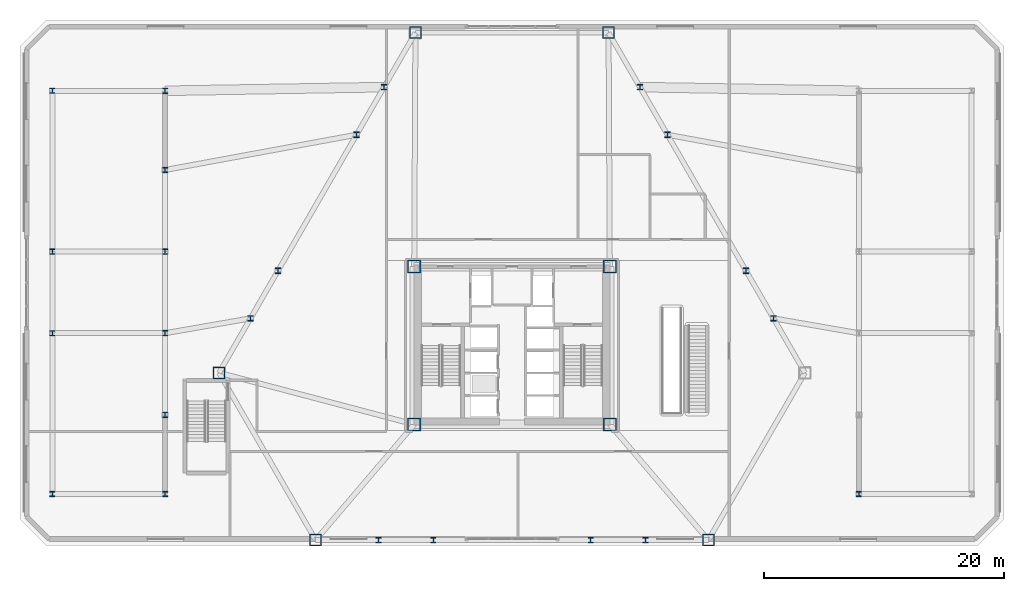
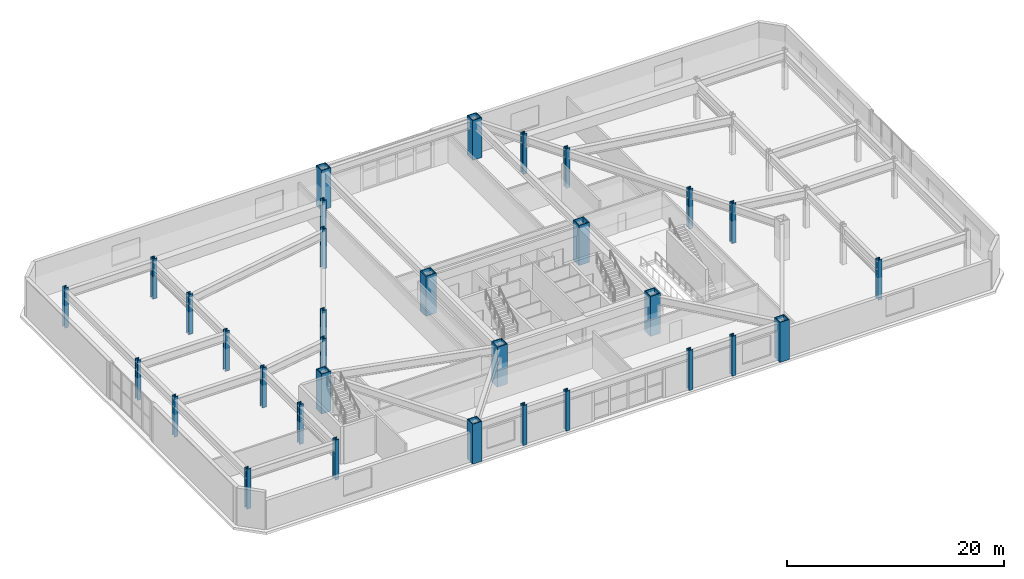
# One storey, part 1 of 21: 32 columns.
"""IFC4 building model written with IfcOpenShell, lengths in metres."""

from ifc_helpers import new_model, si_unit, direction, frame, origin, origin_2d, place, context, subcontext, project, spatial, hollow_rectangle, i_section, extrude, material, material_profile, profile_set, type_object, element, save


model = new_model("IFC4")

# Units and contexts
model_context = context("Model", 3, precision=1e-05, world=origin(), true_north=direction((0.0, 1.0)))
body_context = subcontext(model_context, "Body", "Model", "MODEL_VIEW")
ifc_project = project(units=[si_unit("LENGTHUNIT", "METRE"), si_unit("AREAUNIT", "SQUARE_METRE"), si_unit("VOLUMEUNIT", "CUBIC_METRE"), si_unit("PLANEANGLEUNIT", "RADIAN"), si_unit("MASSUNIT", "GRAM", prefix="KILO")], contexts=[model_context])

# Site, building, storey
site_placement = place(None, origin())
site = spatial("IfcSite", under=ifc_project, at=site_placement, CompositionType="ELEMENT")
building_placement = place(site_placement, origin())
building = spatial("IfcBuilding", under=site, at=building_placement, Name="Oramaril Tower", CompositionType="ELEMENT")
storey_placement = place(building_placement, frame((0.0, 0.0, 5.39990234375)))
storey = spatial("IfcBuildingStorey", under=building, at=storey_placement, Name="L01", CompositionType="ELEMENT", Elevation=5.39990234375)

# Columns
ifc_material_1 = material(Name="Steel ASTM A572 Gr 50", Category="steel")
ifc_material_profile_1 = material_profile(ifc_material_1, hollow_rectangle(XDim=1.10009765625, YDim=1.10009765625, WallThickness=0.090087890625, at=origin_2d()), Name="BOX1100X1100X90")
ifc_profile_set_1 = profile_set([ifc_material_profile_1], Name="Steel ASTM A572 Gr 50")
column_type_1 = type_object("IfcColumnType", Name="CT-CC1", PredefinedType="COLUMN", material=ifc_profile_set_1)
for number, where, z_axis, x_axis, name in (
    (1, (29.35009765625, 11.0, 0.0), (0.0, 0.0, 1.0), (1.0, 0.0, 0.0), "L01 Core Column CC-1"),
    (2, (45.64990234375, 11.0, 0.0), (0.0, 0.0, 1.0), (1.0, 0.0, 0.0), "L01 Core Column CC-2"),
    (3, (45.64990234375, 24.14990234375, 0.0), (0.0, 0.0, 1.0), (1.0, 0.0, 0.0), "L01 Core Column CC-3"),
    (4, (29.35009765625, 24.14990234375, 0.0), (0.0, 0.0, 1.0), (1.0, 0.0, 0.0), "L01 Core Column CC-4"),
):
    element("IfcColumn", number, at=place(storey_placement, frame(where, z_axis=z_axis, x_axis=x_axis)), inside=storey, type_object=column_type_1, Name=name, PredefinedType="COLUMN", context=body_context, shape_type="SweptSolid", body=[
        extrude(hollow_rectangle(XDim=1.10009765625, YDim=1.10009765625, WallThickness=0.090087890625, at=origin_2d()), origin(), (0.0, 0.0, 1.0), 4.5),
    ])
ifc_material_2 = material(Name="Steel ASTM A572 Gr 50", Category="steel")
ifc_material_profile_2 = material_profile(ifc_material_2, hollow_rectangle(XDim=1.0, YDim=1.0, WallThickness=0.0849609375, at=origin_2d()), Name="BOX1000X1000X85")
ifc_profile_set_2 = profile_set([ifc_material_profile_2], Name="Steel ASTM A572 Gr 50")
column_type_2 = type_object("IfcColumnType", Name="CT-TC1", PredefinedType="COLUMN", material=ifc_profile_set_2)
for number, where, z_axis, x_axis, name in (
    (5, (13.089599609375, 15.300048828125, 0.004638671875), (0.0, 0.0, 1.0), (1.0, 0.0, 0.0), "L01 Tube Column TC-01"),
    (6, (21.137939453125, 1.360107421875, 0.004638671875), (0.0, 0.0, 1.0), (1.0, 0.0, 0.0), "L01 Tube Column TC-02"),
    (7, (53.862060546875, 1.360107421875, 0.004638671875), (0.0, 0.0, 1.0), (1.0, 0.0, 0.0), "L01 Tube Column TC-03"),
    (8, (45.548095703125, 43.639892578125, 0.004638671875), (0.0, 0.0, 1.0), (1.0, 0.0, 0.0), "L01 Tube Column TC-05"),
    (9, (29.451904296875, 43.639892578125, 0.004638671875), (0.0, 0.0, 1.0), (1.0, 0.0, 0.0), "L01 Tube Column TC-06"),
):
    element("IfcColumn", number, at=place(storey_placement, frame(where, z_axis=z_axis, x_axis=x_axis)), inside=storey, type_object=column_type_2, Name=name, PredefinedType="COLUMN", context=body_context, shape_type="SweptSolid", body=[
        extrude(hollow_rectangle(XDim=1.0, YDim=1.0, WallThickness=0.0849609375, at=origin_2d()), origin(), (0.0, 0.0, 1.0), 4.490966796875),
    ])
ifc_material_3 = material(Name="Steel ASTM A572 Gr 50", Category="steel")
ifc_material_profile_3 = material_profile(ifc_material_3, i_section(OverallWidth=0.422119140625, OverallDepth=0.465087890625, WebThickness=0.044921875, FlangeThickness=0.072021484375, at=origin_2d()), Name="W14X398")
ifc_profile_set_3 = profile_set([ifc_material_profile_3], Name="Steel ASTM A572 Gr 50")
column_type_3 = type_object("IfcColumnType", Name="CT-TF1", PredefinedType="COLUMN", material=ifc_profile_set_3)
for number, where, z_axis, x_axis, name in (
    (10, (26.373779296875, 1.360107421875, 0.004638671875), (0.0, 0.0, 1.0), (1.0, 0.0, 0.0), "L01 Tube Column TC-07"),
    (11, (30.955078125, 1.360107421875, 0.004638671875), (0.0, 0.0, 1.0), (1.0, 0.0, 0.0), "L01 Tube Column TC-08"),
    (12, (44.044921875, 1.360107421875, 0.004638671875), (0.0, 0.0, 1.0), (1.0, 0.0, 0.0), "L01 Tube Column TC-09"),
    (13, (48.626220703125, 1.360107421875, 0.004638671875), (0.0, 0.0, 1.0), (1.0, 0.0, 0.0), "L01 Tube Column TC-10"),
    (14, (59.29248046875, 19.83447265625, 0.004638671875), (0.0, 0.0, 1.0), (1.0, 0.0, 0.0), "L01 Tube Column TC-11"),
    (15, (57.001708984375, 23.802001953125, 0.004638671875), (0.0, 0.0, 1.0), (1.0, 0.0, 0.0), "L01 Tube Column TC-12"),
    (16, (50.456787109375, 35.137939453125, 0.004638671875), (0.0, 0.0, 1.0), (1.0, 0.0, 0.0), "L01 Tube Column TC-13"),
    (17, (48.166015625, 39.105712890625, 0.004638671875), (0.0, 0.0, 1.0), (1.0, 0.0, 0.0), "L01 Tube Column TC-14"),
    (18, (26.833984375, 39.105712890625, 0.004638671875), (0.0, 0.0, 1.0), (1.0, 0.0, 0.0), "L01 Tube Column TC-15"),
    (19, (24.543212890625, 35.137939453125, 0.004638671875), (0.0, 0.0, 1.0), (1.0, 0.0, 0.0), "L01 Tube Column TC-16"),
    (20, (17.998291015625, 23.802001953125, 0.004638671875), (0.0, 0.0, 1.0), (1.0, 0.0, 0.0), "L01 Tube Column TC-17"),
    (21, (15.70751953125, 19.83447265625, 0.004638671875), (0.0, 0.0, 1.0), (1.0, 0.0, 0.0), "L01 Tube Column TC-18"),
):
    element("IfcColumn", number, at=place(storey_placement, frame(where, z_axis=z_axis, x_axis=x_axis)), inside=storey, type_object=column_type_3, Name=name, PredefinedType="COLUMN", context=body_context, shape_type="SweptSolid", body=[
        extrude(i_section(OverallWidth=0.422119140625, OverallDepth=0.465087890625, WebThickness=0.044921875, FlangeThickness=0.072021484375, at=origin_2d()), origin(), (0.0, 0.0, 1.0), 4.490966796875),
    ])
for number, where, z_axis, x_axis, name in (
    (22, (8.60009765625, 5.199951171875, 0.0), (0.0, 0.0, 1.0), (1.0, 0.0, 0.0), "L01 Podium Column PCOL-01"),
    (23, (8.60009765625, 11.800048828125, 0.0), (0.0, 0.0, 1.0), (1.0, 0.0, 0.0), "L01 Podium Column PCOL-02"),
    (24, (8.60009765625, 18.60009765625, 0.0), (0.0, 0.0, 1.0), (1.0, 0.0, 0.0), "L01 Podium Column PCOL-03"),
    (25, (8.60009765625, 25.39990234375, 0.0), (0.0, 0.0, 1.0), (1.0, 0.0, 0.0), "L01 Podium Column PCOL-04"),
    (26, (8.60009765625, 32.199951171875, 0.0), (0.0, 0.0, 1.0), (1.0, 0.0, 0.0), "L01 Podium Column PCOL-05"),
    (27, (8.60009765625, 38.800048828125, 0.0), (0.0, 0.0, 1.0), (1.0, 0.0, 0.0), "L01 Podium Column PCOL-06"),
    (28, (66.39990234375, 5.199951171875, 0.0), (0.0, 0.0, 1.0), (1.0, 0.0, 0.0), "L01 Podium Column PCOL-07"),
):
    element("IfcColumn", number, at=place(storey_placement, frame(where, z_axis=z_axis, x_axis=x_axis)), inside=storey, type_object=column_type_3, Name=name, PredefinedType="COLUMN", context=body_context, shape_type="SweptSolid", body=[
        extrude(i_section(OverallWidth=0.422119140625, OverallDepth=0.465087890625, WebThickness=0.044921875, FlangeThickness=0.072021484375, at=origin_2d()), origin(), (0.0, 0.0, 1.0), 4.5),
    ])
ifc_material_4 = material(Name="Steel ASTM A572 Gr 50", Category="steel")
ifc_material_profile_4 = material_profile(ifc_material_4, i_section(OverallWidth=0.410888671875, OverallDepth=0.43408203125, WebThickness=0.035888671875, FlangeThickness=0.057373046875, at=origin_2d()), Name="W14X311")
ifc_profile_set_4 = profile_set([ifc_material_profile_4], Name="Steel ASTM A572 Gr 50")
column_type_4 = type_object("IfcColumnType", Name="CT-TF2", PredefinedType="COLUMN", material=ifc_profile_set_4)
for number, where, z_axis, x_axis, name in (
    (29, (-0.800048828125, 5.199951171875, 0.0), (0.0, 0.0, 1.0), (1.0, 0.0, 0.0), "L01 Lower Podium Wing Column WCOL-01"),
    (30, (-0.800048828125, 18.60009765625, 0.0), (0.0, 0.0, 1.0), (1.0, 0.0, 0.0), "L01 Lower Podium Wing Column WCOL-02"),
    (31, (-0.800048828125, 25.39990234375, 0.0), (0.0, 0.0, 1.0), (1.0, 0.0, 0.0), "L01 Lower Podium Wing Column WCOL-03"),
    (32, (-0.800048828125, 38.800048828125, 0.0), (0.0, 0.0, 1.0), (1.0, 0.0, 0.0), "L01 Lower Podium Wing Column WCOL-04"),
):
    element("IfcColumn", number, at=place(storey_placement, frame(where, z_axis=z_axis, x_axis=x_axis)), inside=storey, type_object=column_type_4, Name=name, PredefinedType="COLUMN", context=body_context, shape_type="SweptSolid", body=[
        extrude(i_section(OverallWidth=0.410888671875, OverallDepth=0.43408203125, WebThickness=0.035888671875, FlangeThickness=0.057373046875, at=origin_2d()), origin(), (0.0, 0.0, 1.0), 4.5),
    ])

save(model, "model.ifc")
